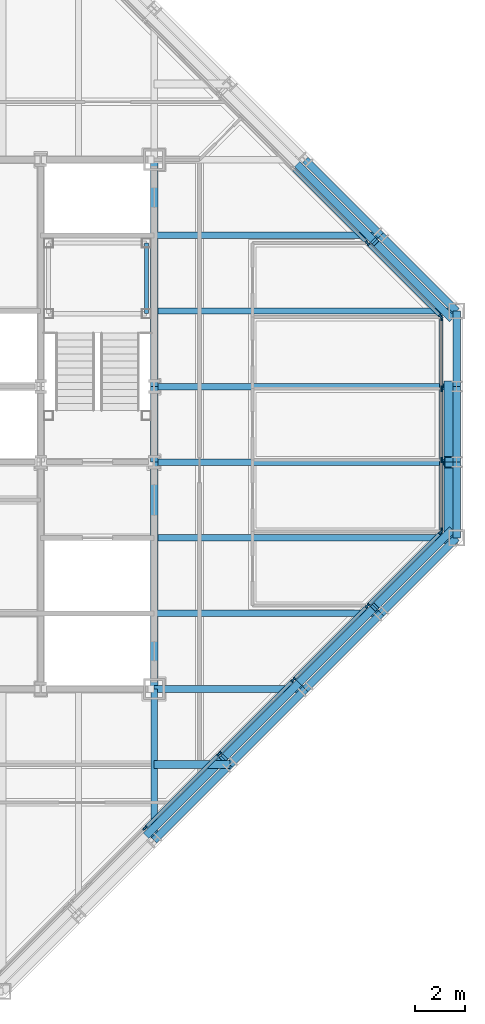
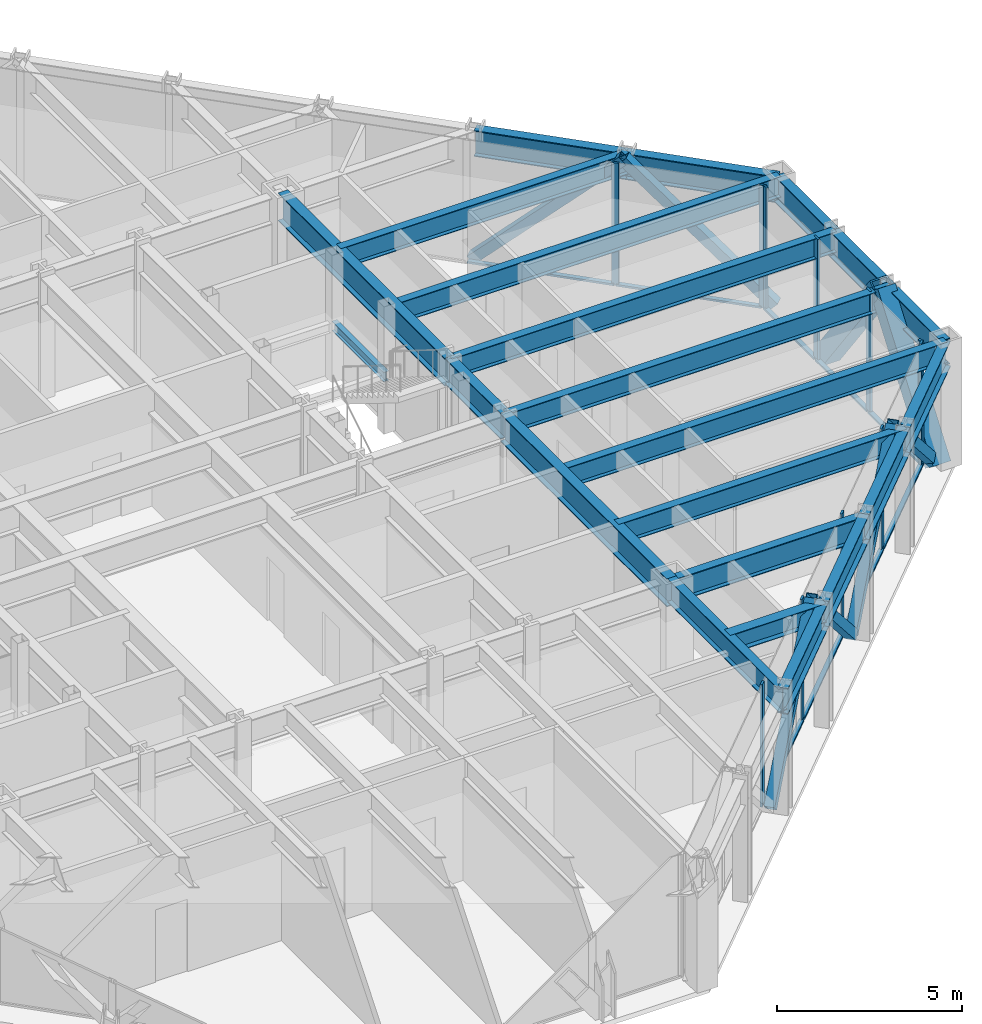
# One storey, part 7 of 15: 28 members, 22 beams, 3 elements without a shape of their own.
"""IFC4 building model written with IfcOpenShell, lengths in metres."""

from ifc_helpers import new_model, si_unit, direction, frame, origin, origin_2d, place, context, subcontext, project, spatial, rectangle, hollow_rectangle, i_section, extrude, material, layer, layer_set, material_profile, profile_set, type_object, element, aggregate, save


model = new_model("IFC4")

# Units and contexts
model_context = context("Model", 3, precision=1e-05, world=origin(), true_north=direction((0.0, 1.0)))
body_context = subcontext(model_context, "Body", "Model", "MODEL_VIEW")
ifc_project = project(units=[si_unit("LENGTHUNIT", "METRE"), si_unit("AREAUNIT", "SQUARE_METRE"), si_unit("VOLUMEUNIT", "CUBIC_METRE"), si_unit("PLANEANGLEUNIT", "RADIAN"), si_unit("MASSUNIT", "GRAM", prefix="KILO")], contexts=[model_context])

# Site, building, storey
site_placement = place(None, origin())
site = spatial("IfcSite", under=ifc_project, at=site_placement, CompositionType="ELEMENT")
building_placement = place(site_placement, origin())
building = spatial("IfcBuilding", under=site, at=building_placement, Name="Chuquiago Exchange Tower", CompositionType="ELEMENT")
storey_placement = place(building_placement, frame((0.0, 0.0, 270.60009765625)))
storey = spatial("IfcBuildingStorey", under=building, at=storey_placement, Name="L60", CompositionType="ELEMENT", Elevation=270.60009765625)

# Beams
ifc_material_1 = material(Name="Steel ASTM A992", Category="steel")
ifc_material_profile_1 = material_profile(ifc_material_1, i_section(OverallWidth=0.25390625, OverallDepth=0.683349609375, WebThickness=0.012451171875, FlangeThickness=0.018798828125, at=origin_2d()), Name="W27X94")
ifc_profile_set_1 = profile_set([ifc_material_profile_1], Name="Steel ASTM A992")
beam_type_1 = type_object("IfcBeamType", Name="B1 W27X94", PredefinedType="BEAM", material=ifc_profile_set_1)
beam_1_placement = place(storey_placement, frame((33.0, 15.0, 3.6982421875), z_axis=(1.0, 0.0, 0.0), x_axis=(0.0, 1.0, 0.0)))
element("IfcBeam", 1, at=beam_1_placement, inside=storey, type_object=beam_type_1, Name="FB-L61-infill-33_15-42_15-0", PredefinedType="BEAM", context=body_context, shape_type="SweptSolid", body=[
    extrude(i_section(OverallWidth=0.25390625, OverallDepth=0.683349609375, WebThickness=0.012451171875, FlangeThickness=0.018798828125, at=origin_2d()), origin(), (0.0, 0.0, 1.0), 9.0),
])
for number, where, z_axis, x_axis, name in (
    (2, (33.0, 18.0, 3.6982421875), (1.0, 0.0, 0.0), (0.0, 1.0, 0.0), "FB-L61-infill-33_18-45_18-0"),
    (3, (33.0, 21.0, 3.6982421875), (1.0, 0.0, 0.0), (0.0, 1.0, 0.0), "FB-L61-infill-33_21-45_21-0"),
    (4, (33.0, 24.0, 3.6982421875), (1.0, 0.0, 0.0), (0.0, 1.0, 0.0), "FB-L61-infill-33_24-45_24-0"),
    (5, (33.0, 27.0, 3.6982421875), (1.0, 0.0, 0.0), (0.0, 1.0, 0.0), "FB-L61-infill-33_27-45_27-0"),
):
    element("IfcBeam", number, at=place(storey_placement, frame(where, z_axis=z_axis, x_axis=x_axis)), inside=storey, type_object=beam_type_1, Name=name, PredefinedType="BEAM", context=body_context, shape_type="SweptSolid", body=[
        extrude(i_section(OverallWidth=0.25390625, OverallDepth=0.683349609375, WebThickness=0.012451171875, FlangeThickness=0.018798828125, at=origin_2d()), origin(), (0.0, 0.0, 1.0), 12.0),
    ])
beam_2_placement = place(storey_placement, frame((33.0, 30.0, 3.6982421875), z_axis=(1.0, 0.0, 0.0), x_axis=(0.0, 1.0, 0.0)))
element("IfcBeam", 6, at=beam_2_placement, inside=storey, type_object=beam_type_1, Name="FB-L61-infill-33_30-42_30-0", PredefinedType="BEAM", context=body_context, shape_type="SweptSolid", body=[
    extrude(i_section(OverallWidth=0.25390625, OverallDepth=0.683349609375, WebThickness=0.012451171875, FlangeThickness=0.018798828125, at=origin_2d()), origin(), (0.0, 0.0, 1.0), 9.0),
])
ifc_material_2 = material(Name="Steel ASTM A992", Category="steel")
ifc_material_profile_2 = material_profile(ifc_material_2, i_section(OverallWidth=0.307373046875, OverallDepth=0.927001953125, WebThickness=0.01953125, FlangeThickness=0.031982421875, at=origin_2d()), Name="W36X194")
ifc_profile_set_2 = profile_set([ifc_material_profile_2], Name="Steel ASTM A992")
beam_type_2 = type_object("IfcBeamType", Name="B10 W36X194", PredefinedType="BEAM", material=ifc_profile_set_2)
for number, where, z_axis, x_axis, name in (
    (7, (33.0, 12.0, 3.576416015625), (0.0, 1.0, 0.0), (-1.0, 0.0, 0.0), "CB-L61-33_12-33_21"),
    (8, (33.0, 24.0, 3.576416015625), (0.0, 1.0, 0.0), (-1.0, 0.0, 0.0), "CB-L61-33_24-33_33"),
):
    element("IfcBeam", number, at=place(storey_placement, frame(where, z_axis=z_axis, x_axis=x_axis)), inside=storey, type_object=beam_type_2, Name=name, PredefinedType="BEAM", context=body_context, shape_type="SweptSolid", body=[
        extrude(i_section(OverallWidth=0.307373046875, OverallDepth=0.927001953125, WebThickness=0.01953125, FlangeThickness=0.031982421875, at=origin_2d()), origin(), (0.0, 0.0, 1.0), 9.0),
    ])
ifc_material_3 = material(Name="Steel ASTM A992", Category="steel")
ifc_material_profile_3 = material_profile(ifc_material_3, i_section(OverallWidth=0.3251953125, OverallDepth=0.612060546875, WebThickness=0.0126953125, FlangeThickness=0.01904296875, at=origin_2d()), Name="W24X104")
ifc_profile_set_3 = profile_set([ifc_material_profile_3], Name="Steel ASTM A992")
beam_type_3 = type_object("IfcBeamType", Name="B2 W24X104", PredefinedType="BEAM", material=ifc_profile_set_3)
beam_3_placement = place(storey_placement, frame((33.0, 9.0, 3.73388671875), z_axis=(1.0, 0.0, 0.0), x_axis=(0.0, 1.0, 0.0)))
element("IfcBeam", 9, at=beam_3_placement, inside=storey, type_object=beam_type_3, Name="FB-L61-corner-33_9-36_9-0", PredefinedType="BEAM", context=body_context, shape_type="SweptSolid", body=[
    extrude(i_section(OverallWidth=0.3251953125, OverallDepth=0.612060546875, WebThickness=0.0126953125, FlangeThickness=0.01904296875, at=origin_2d()), origin(), (0.0, 0.0, 1.0), 3.0),
])
ifc_material_4 = material(Name="Steel ASTM A992", Category="steel")
ifc_material_profile_4 = material_profile(ifc_material_4, i_section(OverallWidth=0.2919921875, OverallDepth=0.8583984375, WebThickness=0.01708984375, FlangeThickness=0.031005859375, at=origin_2d()), Name="W33X169")
ifc_profile_set_4 = profile_set([ifc_material_profile_4], Name="Steel ASTM A992")
beam_type_4 = type_object("IfcBeamType", Name="B3 W33X169", PredefinedType="BEAM", material=ifc_profile_set_4)
beam_4_placement = place(storey_placement, frame((33.0, 21.0, 3.610595703125), z_axis=(0.0, 1.0, 0.0), x_axis=(-1.0, 0.0, 0.0)))
element("IfcBeam", 10, at=beam_4_placement, inside=storey, type_object=beam_type_4, Name="CB-L61-33_21-33_24", PredefinedType="BEAM", context=body_context, shape_type="SweptSolid", body=[
    extrude(i_section(OverallWidth=0.2919921875, OverallDepth=0.8583984375, WebThickness=0.01708984375, FlangeThickness=0.031005859375, at=origin_2d()), origin(), (0.0, 0.0, 1.0), 3.0),
])

# Curtain wall, members
ifc_material_5 = material(Name="Aluminium curtain wall system", Category="aluminium")
ifc_layer_1 = layer(ifc_material_5, 0.22509765625)
ifc_layer_set_1 = layer_set([ifc_layer_1], Name="CW2 office curtain wall")
curtain_wall_type_1 = type_object("IfcCurtainWallType", Name="CW2 office curtain wall", PredefinedType="NOTDEFINED", material=ifc_layer_set_1)
curtain_wall_1_placement = place(storey_placement, origin())
curtain_wall_1 = element("IfcCurtainWall", 11, at=curtain_wall_1_placement, inside=storey, type_object=curtain_wall_type_1, Name="CW2 curtain wall L60", PredefinedType="NOTDEFINED")
ifc_material_6 = material(Name="Aluminium mullion, pale anodised", Category="aluminium")
ifc_material_profile_5 = material_profile(ifc_material_6, rectangle(XDim=0.06494140625, YDim=0.22509765625, at=origin_2d()), Name="AL 65x225")
ifc_profile_set_5 = profile_set([ifc_material_profile_5], Name="Aluminium mullion, pale anodised")
member_type_1 = type_object("IfcMemberType", Name="CW2-M mullion 65x225", PredefinedType="MULLION", material=ifc_profile_set_5)
member_1_placement = place(storey_placement, frame((44.39990234375, 18.281005859375, 0.0), z_axis=(0.0, 0.0, 1.0), x_axis=(-1.0, 0.0, 0.0)))
member_1 = element("IfcMember", 12, at=member_1_placement, type_object=member_type_1, Name="CW2 mullion 1", PredefinedType="MULLION", context=body_context, shape_type="SweptSolid", body=[
    extrude(rectangle(XDim=0.06494140625, YDim=0.22509765625, at=origin_2d()), origin(), (0.0, 0.0, 1.0), 4.039794921875),
])
member_2_placement = place(storey_placement, frame((44.39990234375, 21.082763671875, 0.0), z_axis=(0.0, 0.0, 1.0), x_axis=(-1.0, 0.0, 0.0)))
member_2 = element("IfcMember", 13, at=member_2_placement, type_object=member_type_1, Name="CW2 mullion 2", PredefinedType="MULLION", context=body_context, shape_type="SweptSolid", body=[
    extrude(rectangle(XDim=0.06494140625, YDim=0.22509765625, at=origin_2d()), origin(), (0.0, 0.0, 1.0), 4.039794921875),
])
member_3_placement = place(storey_placement, frame((44.39990234375, 23.917236328125, 0.0), z_axis=(0.0, 0.0, 1.0), x_axis=(-1.0, 0.0, 0.0)))
member_3 = element("IfcMember", 14, at=member_3_placement, type_object=member_type_1, Name="CW2 mullion 3", PredefinedType="MULLION", context=body_context, shape_type="SweptSolid", body=[
    extrude(rectangle(XDim=0.06494140625, YDim=0.22509765625, at=origin_2d()), origin(), (0.0, 0.0, 1.0), 4.039794921875),
])
member_4_placement = place(storey_placement, frame((44.39990234375, 26.718994140625, 0.0), z_axis=(0.0, 0.0, 1.0), x_axis=(-1.0, 0.0, 0.0)))
member_4 = element("IfcMember", 15, at=member_4_placement, type_object=member_type_1, Name="CW2 mullion 4", PredefinedType="MULLION", context=body_context, shape_type="SweptSolid", body=[
    extrude(rectangle(XDim=0.06494140625, YDim=0.22509765625, at=origin_2d()), origin(), (0.0, 0.0, 1.0), 4.039794921875),
])
ifc_material_7 = material(Name="Aluminium transom, pale anodised", Category="aluminium")
ifc_material_profile_6 = material_profile(ifc_material_7, rectangle(XDim=0.139892578125, YDim=0.06494140625, at=origin_2d()), Name="AL 140x65")
ifc_profile_set_6 = profile_set([ifc_material_profile_6], Name="Aluminium transom, pale anodised")
member_type_2 = type_object("IfcMemberType", Name="CW2-T transom 65x140", PredefinedType="MULLION", material=ifc_profile_set_6)
member_5_placement = place(storey_placement, frame((44.39990234375, 18.3134765625, 0.032470703125), z_axis=(0.0, 1.0, 0.0), x_axis=(-1.0, 0.0, 0.0)))
member_5 = element("IfcMember", 16, at=member_5_placement, type_object=member_type_2, Name="CW2 transom 1.1", PredefinedType="MULLION", context=body_context, shape_type="SweptSolid", body=[
    extrude(rectangle(XDim=0.139892578125, YDim=0.06494140625, at=origin_2d()), origin(), (0.0, 0.0, 1.0), 2.73681640625),
])
member_6_placement = place(storey_placement, frame((44.39990234375, 21.115234375, 0.032470703125), z_axis=(0.0, 1.0, 0.0), x_axis=(-1.0, 0.0, 0.0)))
member_6 = element("IfcMember", 17, at=member_6_placement, type_object=member_type_2, Name="CW2 transom 2.1", PredefinedType="MULLION", context=body_context, shape_type="SweptSolid", body=[
    extrude(rectangle(XDim=0.139892578125, YDim=0.06494140625, at=origin_2d()), origin(), (0.0, 0.0, 1.0), 2.76953125),
])
member_7_placement = place(storey_placement, frame((44.39990234375, 23.94970703125, 0.032470703125), z_axis=(0.0, 1.0, 0.0), x_axis=(-1.0, 0.0, 0.0)))
member_7 = element("IfcMember", 18, at=member_7_placement, type_object=member_type_2, Name="CW2 transom 3.1", PredefinedType="MULLION", context=body_context, shape_type="SweptSolid", body=[
    extrude(rectangle(XDim=0.139892578125, YDim=0.06494140625, at=origin_2d()), origin(), (0.0, 0.0, 1.0), 2.73681640625),
])
aggregate(curtain_wall_1, [member_1, member_2, member_3, member_4, member_5, member_6, member_7])

ifc_material_8 = material(Name="Aluminium curtain wall system", Category="aluminium")
ifc_layer_2 = layer(ifc_material_8, 0.199951171875)
ifc_layer_set_2 = layer_set([ifc_layer_2], Name="CW3 facet curtain wall")
curtain_wall_type_2 = type_object("IfcCurtainWallType", Name="CW3 facet curtain wall", PredefinedType="NOTDEFINED", material=ifc_layer_set_2)
curtain_wall_2_placement = place(storey_placement, origin())
curtain_wall_2 = element("IfcCurtainWall", 19, at=curtain_wall_2_placement, inside=storey, type_object=curtain_wall_type_2, Name="CW3 curtain wall L60", PredefinedType="NOTDEFINED")
ifc_material_9 = material(Name="Aluminium mullion, pale anodised", Category="aluminium")
ifc_material_profile_7 = material_profile(ifc_material_9, rectangle(XDim=0.06494140625, YDim=0.199951171875, at=origin_2d()), Name="AL 65x200")
ifc_profile_set_7 = profile_set([ifc_material_profile_7], Name="Aluminium mullion, pale anodised")
member_type_3 = type_object("IfcMemberType", Name="CW3-M mullion 65x200", PredefinedType="MULLION", material=ifc_profile_set_7)
member_8_placement = place(storey_placement, frame((32.63427734375, 6.48291015625, 0.0), z_axis=(0.0, 0.0, 1.0), x_axis=(-0.707106781187, 0.707106781187, 0.0)))
member_8 = element("IfcMember", 20, at=member_8_placement, type_object=member_type_3, Name="CW3 mullion 3", PredefinedType="MULLION", context=body_context, shape_type="SweptSolid", body=[
    extrude(rectangle(XDim=0.06494140625, YDim=0.199951171875, at=origin_2d()), origin(), (0.0, 0.0, 1.0), 4.039794921875),
])
member_9_placement = place(storey_placement, frame((35.57568359375, 9.42431640625, 0.0), z_axis=(0.0, 0.0, 1.0), x_axis=(-0.707106781187, 0.707106781187, 0.0)))
member_9 = element("IfcMember", 21, at=member_9_placement, type_object=member_type_3, Name="CW3 mullion 4", PredefinedType="MULLION", context=body_context, shape_type="SweptSolid", body=[
    extrude(rectangle(XDim=0.06494140625, YDim=0.199951171875, at=origin_2d()), origin(), (0.0, 0.0, 1.0), 4.039794921875),
])
member_10_placement = place(storey_placement, frame((38.51708984375, 12.36572265625, 0.0), z_axis=(0.0, 0.0, 1.0), x_axis=(-0.707106781187, 0.707106781187, 0.0)))
member_10 = element("IfcMember", 22, at=member_10_placement, type_object=member_type_3, Name="CW3 mullion 5", PredefinedType="MULLION", context=body_context, shape_type="SweptSolid", body=[
    extrude(rectangle(XDim=0.06494140625, YDim=0.199951171875, at=origin_2d()), origin(), (0.0, 0.0, 1.0), 4.039794921875),
])
member_11_placement = place(storey_placement, frame((41.45849609375, 15.30712890625, 0.0), z_axis=(0.0, 0.0, 1.0), x_axis=(-0.707106781187, 0.707106781187, 0.0)))
member_11 = element("IfcMember", 23, at=member_11_placement, type_object=member_type_3, Name="CW3 mullion 6", PredefinedType="MULLION", context=body_context, shape_type="SweptSolid", body=[
    extrude(rectangle(XDim=0.06494140625, YDim=0.199951171875, at=origin_2d()), origin(), (0.0, 0.0, 1.0), 4.039794921875),
])
member_12_placement = place(storey_placement, frame((44.376953125, 18.2255859375, 0.0), z_axis=(0.0, 0.0, 1.0), x_axis=(-0.707106781187, 0.707106781187, 0.0)))
member_12 = element("IfcMember", 24, at=member_12_placement, type_object=member_type_3, Name="CW3 mullion 7", PredefinedType="MULLION", context=body_context, shape_type="SweptSolid", body=[
    extrude(rectangle(XDim=0.06494140625, YDim=0.199951171875, at=origin_2d()), origin(), (0.0, 0.0, 1.0), 4.039794921875),
])

curtain_wall_3_placement = place(storey_placement, origin())
curtain_wall_3 = element("IfcCurtainWall", 25, at=curtain_wall_3_placement, inside=storey, type_object=curtain_wall_type_2, Name="CW3 curtain wall L60", PredefinedType="NOTDEFINED")
member_13_placement = place(storey_placement, frame((44.376953125, 26.7744140625, 0.0), z_axis=(0.0, 0.0, 1.0), x_axis=(-0.707106781187, -0.707106781187, 0.0)))
member_13 = element("IfcMember", 26, at=member_13_placement, type_object=member_type_3, Name="CW3 mullion 1", PredefinedType="MULLION", context=body_context, shape_type="SweptSolid", body=[
    extrude(rectangle(XDim=0.06494140625, YDim=0.199951171875, at=origin_2d()), origin(), (0.0, 0.0, 1.0), 4.039794921875),
])
member_14_placement = place(storey_placement, frame((41.45849609375, 29.69287109375, 0.0), z_axis=(0.0, 0.0, 1.0), x_axis=(-0.707106781187, -0.707106781187, 0.0)))
member_14 = element("IfcMember", 27, at=member_14_placement, type_object=member_type_3, Name="CW3 mullion 2", PredefinedType="MULLION", context=body_context, shape_type="SweptSolid", body=[
    extrude(rectangle(XDim=0.06494140625, YDim=0.199951171875, at=origin_2d()), origin(), (0.0, 0.0, 1.0), 4.039794921875),
])

# Member
ifc_material_10 = material(Name="Aluminium transom, pale anodised", Category="aluminium")
ifc_material_profile_8 = material_profile(ifc_material_10, rectangle(XDim=0.139892578125, YDim=0.06494140625, at=origin_2d()), Name="AL 140x65")
ifc_profile_set_8 = profile_set([ifc_material_profile_8], Name="Aluminium transom, pale anodised")
member_type_4 = type_object("IfcMemberType", Name="CW3-T transom 65x140", PredefinedType="MULLION", material=ifc_profile_set_8)
member_15_placement = place(storey_placement, frame((32.6572265625, 6.505859375, 0.032470703125), z_axis=(0.707106781187, 0.707106781187, 0.0), x_axis=(-0.707106781187, 0.707106781187, 0.0)))
member_15 = element("IfcMember", 28, at=member_15_placement, type_object=member_type_4, Name="CW3 transom 3.1", PredefinedType="MULLION", context=body_context, shape_type="SweptSolid", body=[
    extrude(rectangle(XDim=0.139892578125, YDim=0.06494140625, at=origin_2d()), origin(), (0.0, 0.0, 1.0), 4.094970703125),
])

member_16_placement = place(storey_placement, frame((35.5986328125, 9.447265625, 0.032470703125), z_axis=(0.707106781187, 0.707106781187, 0.0), x_axis=(-0.707106781187, 0.707106781187, 0.0)))
member_16 = element("IfcMember", 29, at=member_16_placement, type_object=member_type_4, Name="CW3 transom 4.1", PredefinedType="MULLION", context=body_context, shape_type="SweptSolid", body=[
    extrude(rectangle(XDim=0.139892578125, YDim=0.06494140625, at=origin_2d()), origin(), (0.0, 0.0, 1.0), 4.094970703125),
])

member_17_placement = place(storey_placement, frame((38.5400390625, 12.388671875, 0.032470703125), z_axis=(0.707106781187, 0.707106781187, 0.0), x_axis=(-0.707106781187, 0.707106781187, 0.0)))
member_17 = element("IfcMember", 30, at=member_17_placement, type_object=member_type_4, Name="CW3 transom 5.1", PredefinedType="MULLION", context=body_context, shape_type="SweptSolid", body=[
    extrude(rectangle(XDim=0.139892578125, YDim=0.06494140625, at=origin_2d()), origin(), (0.0, 0.0, 1.0), 4.094970703125),
])

member_18_placement = place(storey_placement, frame((41.4814453125, 15.330078125, 0.032470703125), z_axis=(0.707106781187, 0.707106781187, 0.0), x_axis=(-0.707106781187, 0.707106781187, 0.0)))
member_18 = element("IfcMember", 31, at=member_18_placement, type_object=member_type_4, Name="CW3 transom 6.1", PredefinedType="MULLION", context=body_context, shape_type="SweptSolid", body=[
    extrude(rectangle(XDim=0.139892578125, YDim=0.06494140625, at=origin_2d()), origin(), (0.0, 0.0, 1.0), 4.0625),
])

aggregate(curtain_wall_2, [member_8, member_9, member_10, member_11, member_12, member_15, member_16, member_17, member_18])

member_19_placement = place(storey_placement, frame((44.35400390625, 26.79736328125, 0.032470703125), z_axis=(-0.707106781187, 0.707106781187, 0.0), x_axis=(-0.707106781187, -0.707106781187, 0.0)))
member_19 = element("IfcMember", 32, at=member_19_placement, type_object=member_type_4, Name="CW3 transom 1.1", PredefinedType="MULLION", context=body_context, shape_type="SweptSolid", body=[
    extrude(rectangle(XDim=0.139892578125, YDim=0.06494140625, at=origin_2d()), origin(), (0.0, 0.0, 1.0), 4.0625),
])

member_20_placement = place(storey_placement, frame((41.435546875, 29.7158203125, 0.032470703125), z_axis=(-0.707106781187, 0.707106781187, 0.0), x_axis=(-0.707106781187, -0.707106781187, 0.0)))
member_20 = element("IfcMember", 33, at=member_20_placement, type_object=member_type_4, Name="CW3 transom 2.1", PredefinedType="MULLION", context=body_context, shape_type="SweptSolid", body=[
    extrude(rectangle(XDim=0.139892578125, YDim=0.06494140625, at=origin_2d()), origin(), (0.0, 0.0, 1.0), 4.094970703125),
])

aggregate(curtain_wall_3, [member_13, member_14, member_19, member_20])

# Beams
ifc_material_11 = material(Name="Steel ASTM A992", Category="steel")
ifc_material_profile_9 = material_profile(ifc_material_11, i_section(OverallWidth=0.2666015625, OverallDepth=0.76953125, WebThickness=0.015625, FlangeThickness=0.025390625, at=origin_2d()), Name="W30X132")
ifc_profile_set_9 = profile_set([ifc_material_profile_9], Name="Steel ASTM A992")
beam_type_5 = type_object("IfcBeamType", Name="G1 W30X132", PredefinedType="BEAM", material=ifc_profile_set_9)
for number, where, z_axis, x_axis, name in (
    (34, (33.0, 12.0, 3.655029296875), (0.0, -1.0, 0.0), (1.0, 0.0, 0.0), "FB-L61-girder-33_12-33_6-0"),
    (35, (33.0, 12.0, 3.655029296875), (1.0, 0.0, 0.0), (0.0, 1.0, 0.0), "FB-L61-girder-33_12-39_12-0"),
):
    element("IfcBeam", number, at=place(storey_placement, frame(where, z_axis=z_axis, x_axis=x_axis)), inside=storey, type_object=beam_type_5, Name=name, PredefinedType="BEAM", context=body_context, shape_type="SweptSolid", body=[
        extrude(i_section(OverallWidth=0.2666015625, OverallDepth=0.76953125, WebThickness=0.015625, FlangeThickness=0.025390625, at=origin_2d()), origin(), (0.0, 0.0, 1.0), 6.0),
    ])

# Members
ifc_material_12 = material(Name="Steel ASTM A500 Grade C", Category="steel")
ifc_material_profile_10 = material_profile(ifc_material_12, hollow_rectangle(XDim=0.3046875, YDim=0.3046875, WallThickness=0.0146484375, at=origin_2d()), Name="HSS12X12X5/8")
ifc_profile_set_10 = profile_set([ifc_material_profile_10], Name="Steel ASTM A500 Grade C")
member_type_5 = type_object("IfcMemberType", Name="LB3 HSS12X12X5/8", PredefinedType="BRACE", material=ifc_profile_set_10)
for number, where, z_axis, x_axis, name in (
    (36, (32.750732421875, 6.249267578125, 0.0), (0.51209198167, 0.51209198167, 0.689582195694), (-0.707106781187, 0.707106781187, 0.0), "LB-L60-33_6-36_9"),
    (37, (38.750732421875, 12.249267578125, 0.0), (-0.51209198167, -0.51209198167, 0.689582195694), (0.707106781187, -0.707106781187, 0.0), "LB-L60-36_9-39_12"),
    (38, (38.750732421875, 12.249267578125, 0.0), (0.51209198167, 0.51209198167, 0.689582195694), (-0.707106781187, 0.707106781187, 0.0), "LB-L60-39_12-42_15"),
    (39, (44.750732421875, 18.249267578125, 0.0), (-0.51209198167, -0.51209198167, 0.689582195694), (0.707106781187, -0.707106781187, 0.0), "LB-L60-42_15-45_18"),
    (40, (44.750732421875, 26.750732421875, 0.0), (-0.51209198167, 0.51209198167, 0.689582195694), (-0.707106781187, -0.707106781187, 0.0), "LB-L60-45_27-42_30"),
    (41, (38.750732421875, 32.750732421875, 0.0), (0.51209198167, -0.51209198167, 0.689582195694), (0.707106781187, 0.707106781187, 0.0), "LB-L60-42_30-39_33"),
):
    element("IfcMember", number, at=place(storey_placement, frame(where, z_axis=z_axis, x_axis=x_axis)), inside=storey, type_object=member_type_5, Name=name, PredefinedType="BRACE", context=body_context, shape_type="SweptSolid", body=[
        extrude(hollow_rectangle(XDim=0.3046875, YDim=0.3046875, WallThickness=0.0146484375, at=origin_2d()), origin(), (0.0, 0.0, 1.0), 5.8583984375),
    ])

# Beam
ifc_material_13 = material(Name="Steel ASTM A992", Category="steel")
ifc_material_profile_11 = material_profile(ifc_material_13, i_section(OverallWidth=0.164794921875, OverallDepth=0.309814453125, WebThickness=0.005859375, FlangeThickness=0.009765625, at=origin_2d()), Name="W12X26")
ifc_profile_set_11 = profile_set([ifc_material_profile_11], Name="Steel ASTM A992")
beam_type_6 = type_object("IfcBeamType", Name="LS1 W12X26", PredefinedType="BEAM", material=ifc_profile_set_11)
beam_5_placement = place(storey_placement, frame((32.68994140625, 26.889892578125, 1.7451171875), z_axis=(0.0, 1.0, 0.0), x_axis=(-1.0, 0.0, 0.0)))
element("IfcBeam", 42, at=beam_5_placement, inside=storey, type_object=beam_type_6, Name="Stair ST2 L60 landing 1 stringer", PredefinedType="BEAM", context=body_context, shape_type="SweptSolid", body=[
    extrude(i_section(OverallWidth=0.164794921875, OverallDepth=0.309814453125, WebThickness=0.005859375, FlangeThickness=0.009765625, at=origin_2d()), origin(), (0.0, 0.0, 1.0), 2.800048828125),
])

# Members
ifc_material_14 = material(Name="Steel ASTM A572 Grade 50", Category="steel")
ifc_material_profile_12 = material_profile(ifc_material_14, hollow_rectangle(XDim=0.550048828125, YDim=0.550048828125, WallThickness=0.044921875, at=origin_2d()), Name="BOX550X550X45")
ifc_profile_set_12 = profile_set([ifc_material_profile_12], Name="Steel ASTM A572 Grade 50")
member_type_6 = type_object("IfcMemberType", Name="MB4 BOX550X550X45", PredefinedType="BRACE", material=ifc_profile_set_12)
for number, where, z_axis, x_axis, name in (
    (43, (44.77001953125, 18.0, 0.0), (0.0, 0.596197146086, 0.802838067732), (-1.0, 0.0, 0.0), "Mega diagonal L60 E face"),
    (44, (44.77001953125, 24.0, 0.0), (0.0, -0.596197146086, 0.802838067732), (1.0, 0.0, 0.0), "Mega diagonal L60 E face"),
):
    element("IfcMember", number, at=place(storey_placement, frame(where, z_axis=z_axis, x_axis=x_axis)), inside=storey, type_object=member_type_6, Name=name, PredefinedType="BRACE", context=body_context, shape_type="SweptSolid", body=[
        extrude(hollow_rectangle(XDim=0.550048828125, YDim=0.550048828125, WallThickness=0.044921875, at=origin_2d()), origin(), (0.0, 0.0, 1.0), 5.031982421875),
    ])

# Beams
ifc_material_15 = material(Name="Steel ASTM A992", Category="steel")
ifc_material_profile_13 = material_profile(ifc_material_15, i_section(OverallWidth=0.2919921875, OverallDepth=0.8583984375, WebThickness=0.01708984375, FlangeThickness=0.031005859375, at=origin_2d()), Name="W33X169")
ifc_profile_set_13 = profile_set([ifc_material_profile_13], Name="Steel ASTM A992")
beam_type_7 = type_object("IfcBeamType", Name="SP4 W33X169", PredefinedType="SPANDREL", material=ifc_profile_set_13)
for number, where, z_axis, x_axis, name in (
    (45, (33.0, 6.0, 3.610595703125), (0.707106781187, 0.707106781187, 0.0), (-0.707106781187, 0.707106781187, 0.0), "SPB-L61-33_6-36_9"),
    (46, (36.0, 9.0, 3.610595703125), (0.707106781187, 0.707106781187, 0.0), (-0.707106781187, 0.707106781187, 0.0), "SPB-L61-36_9-39_12"),
    (47, (39.0, 12.0, 3.610595703125), (0.707106781187, 0.707106781187, 0.0), (-0.707106781187, 0.707106781187, 0.0), "SPB-L61-39_12-42_15"),
    (48, (42.0, 15.0, 3.610595703125), (0.707106781187, 0.707106781187, 0.0), (-0.707106781187, 0.707106781187, 0.0), "SPB-L61-42_15-45_18"),
):
    element("IfcBeam", number, at=place(storey_placement, frame(where, z_axis=z_axis, x_axis=x_axis)), inside=storey, type_object=beam_type_7, Name=name, PredefinedType="SPANDREL", context=body_context, shape_type="SweptSolid", body=[
        extrude(i_section(OverallWidth=0.2919921875, OverallDepth=0.8583984375, WebThickness=0.01708984375, FlangeThickness=0.031005859375, at=origin_2d()), origin(), (0.0, 0.0, 1.0), 4.24267578125),
    ])
for number, where, z_axis, x_axis, name in (
    (49, (45.0, 18.0, 3.610595703125), (0.0, 1.0, 0.0), (-1.0, 0.0, 0.0), "SPB-L61-45_18-45_21"),
    (50, (45.0, 21.0, 3.610595703125), (0.0, 1.0, 0.0), (-1.0, 0.0, 0.0), "SPB-L61-45_21-45_24"),
    (51, (45.0, 24.0, 3.610595703125), (0.0, 1.0, 0.0), (-1.0, 0.0, 0.0), "SPB-L61-45_24-45_27"),
):
    element("IfcBeam", number, at=place(storey_placement, frame(where, z_axis=z_axis, x_axis=x_axis)), inside=storey, type_object=beam_type_7, Name=name, PredefinedType="SPANDREL", context=body_context, shape_type="SweptSolid", body=[
        extrude(i_section(OverallWidth=0.2919921875, OverallDepth=0.8583984375, WebThickness=0.01708984375, FlangeThickness=0.031005859375, at=origin_2d()), origin(), (0.0, 0.0, 1.0), 3.0),
    ])
for number, where, z_axis, x_axis, name in (
    (52, (45.0, 27.0, 3.610595703125), (-0.707106781187, 0.707106781187, 0.0), (-0.707106781187, -0.707106781187, 0.0), "SPB-L61-45_27-42_30"),
    (53, (42.0, 30.0, 3.610595703125), (-0.707106781187, 0.707106781187, 0.0), (-0.707106781187, -0.707106781187, 0.0), "SPB-L61-42_30-39_33"),
):
    element("IfcBeam", number, at=place(storey_placement, frame(where, z_axis=z_axis, x_axis=x_axis)), inside=storey, type_object=beam_type_7, Name=name, PredefinedType="SPANDREL", context=body_context, shape_type="SweptSolid", body=[
        extrude(i_section(OverallWidth=0.2919921875, OverallDepth=0.8583984375, WebThickness=0.01708984375, FlangeThickness=0.031005859375, at=origin_2d()), origin(), (0.0, 0.0, 1.0), 4.24267578125),
    ])

save(model, "model.ifc")
